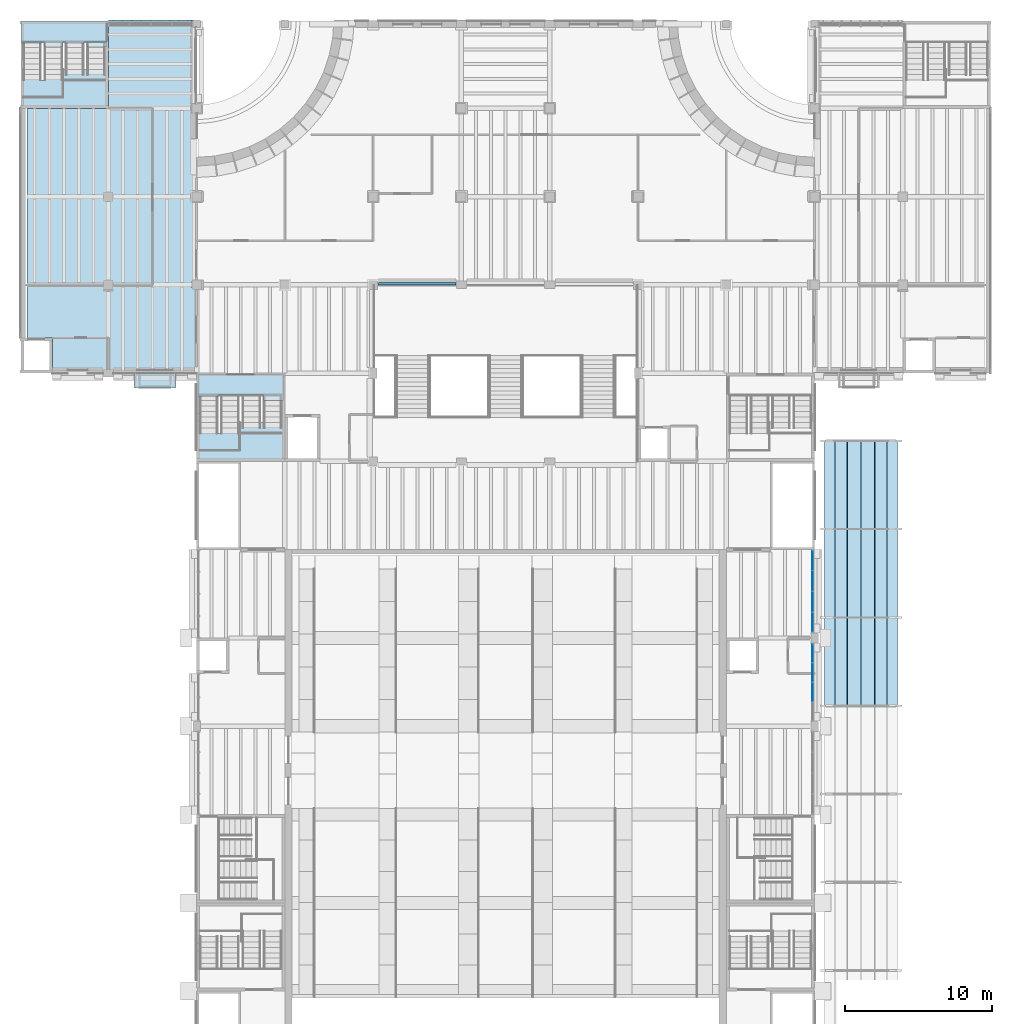
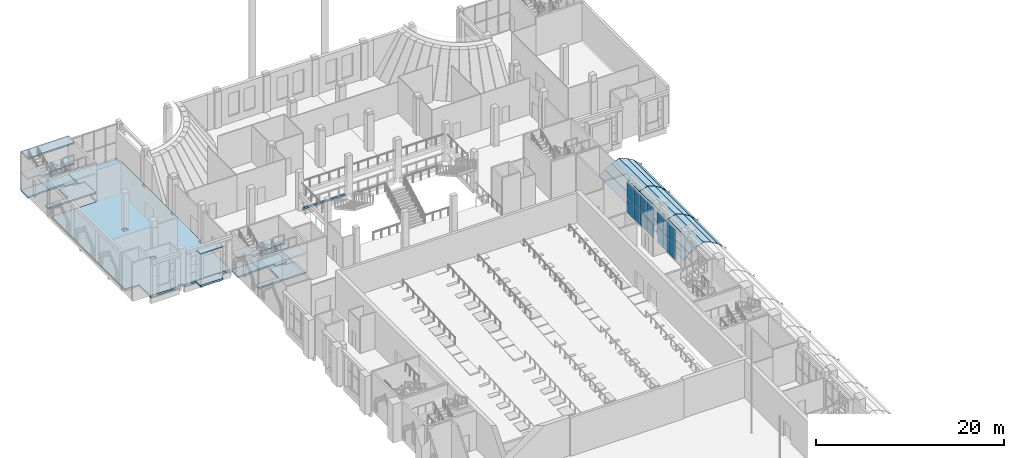
# One storey, part 33 of 80: 33 plates, 12 slabs, 4 elements without a shape of their own.
"""IFC4 building model written with IfcOpenShell, lengths in metres."""

from ifc_helpers import new_model, si_unit, direction, frame, origin, origin_2d, place, context, subcontext, project, spatial, polyline, rectangle, outline, extrude, material, layer, layer_set, type_object, element, aggregate, save


model = new_model("IFC4")

# Units and contexts
model_context = context("Model", 3, precision=1e-05, world=origin(), true_north=direction((0.0, 1.0)))
body_context = subcontext(model_context, "Body", "Model", "MODEL_VIEW")
ifc_project = project(units=[si_unit("LENGTHUNIT", "METRE"), si_unit("AREAUNIT", "SQUARE_METRE"), si_unit("VOLUMEUNIT", "CUBIC_METRE"), si_unit("PLANEANGLEUNIT", "RADIAN"), si_unit("MASSUNIT", "GRAM", prefix="KILO")], contexts=[model_context])

# Site, building, storey
site_placement = place(None, origin())
site = spatial("IfcSite", under=ifc_project, at=site_placement, CompositionType="ELEMENT")
building_placement = place(site_placement, origin())
building = spatial("IfcBuilding", under=site, at=building_placement, Name="Saffron Lane Theatres", CompositionType="ELEMENT")
storey_placement = place(building_placement, frame((0.0, 0.0, 7.0)))
storey = spatial("IfcBuildingStorey", under=building, at=storey_placement, Name="L01", CompositionType="ELEMENT", Elevation=7.0)

# Plate
ifc_material_1 = material(Name="Zinc sheet", Category="metal")
ifc_layer_1 = layer(ifc_material_1, 0.1201171875)
ifc_layer_set_1 = layer_set([ifc_layer_1], Name="Zinc sheet")
plate_type_1 = type_object("IfcPlateType", Name="EX-CUMBA ROOF PANEL 120", PredefinedType="SHEET", material=ifc_layer_set_1)
plate_1_placement = place(storey_placement, frame((0.0, 0.0, 4.0)))
element("IfcPlate", 1, at=plate_1_placement, inside=storey, type_object=plate_type_1, Name="Cumba bay 1 roof", PredefinedType="SHEET", context=body_context, shape_type="SweptSolid", body=[
    extrude(outline(polyline([(10.574951171875, 102.0), (7.77490234375, 102.0), (7.77490234375, 101.0), (10.574951171875, 101.0), (10.574951171875, 102.0)])), origin(), (0.0, 0.0, 1.0), 0.1201171875),
])

# Slab
ifc_material_2 = material(Name="Concrete N40 (40 MPa)", Category="concrete")
ifc_layer_2 = layer(ifc_material_2, 0.25)
ifc_layer_set_2 = layer_set([ifc_layer_2], Name="Concrete N40 (40 MPa)")
slab_type_1 = type_object("IfcSlabType", Name="EX-CUMBA SLAB 250", PredefinedType="FLOOR", material=ifc_layer_set_2)
slab_1_placement = place(storey_placement, frame((0.0, 0.0, -0.25)))
element("IfcSlab", 2, at=slab_1_placement, inside=storey, type_object=slab_type_1, Name="Cumba bay 1 floor", PredefinedType="FLOOR", context=body_context, shape_type="SweptSolid", body=[
    extrude(outline(polyline([(10.574951171875, 102.0), (7.77490234375, 102.0), (7.77490234375, 101.0), (10.574951171875, 101.0), (10.574951171875, 102.0)])), origin(), (0.0, 0.0, 1.0), 0.25),
])

# Curtain wall, plates
ifc_material_3 = material(Name="Aluminium", Category="aluminium")
curtain_wall_type_1 = type_object("IfcCurtainWallType", Name="EX-CURTAIN WALL 5650x4050x160", PredefinedType="NOTDEFINED", material=ifc_material_3)
curtain_wall_1_placement = place(storey_placement, origin())
curtain_wall_1 = element("IfcCurtainWall", 3, at=curtain_wall_1_placement, inside=storey, type_object=curtain_wall_type_1, Name="Curtain wall L01 10", PredefinedType="NOTDEFINED")
ifc_material_4 = material(Name="Glass", Category="glass")
ifc_layer_3 = layer(ifc_material_4, 0.028076171875)
ifc_layer_set_3 = layer_set([ifc_layer_3], Name="Glass")
plate_type_2 = type_object("IfcPlateType", Name="EX-CW PANEL GLAZING 28", PredefinedType="CURTAIN_PANEL", material=ifc_layer_set_3)
plate_2_placement = place(storey_placement, frame((53.8701171875, 89.27880859375, 0.06005859375), z_axis=(0.0, 0.0, 1.0), x_axis=(0.0, -1.0, 0.0)))
plate_2 = element("IfcPlate", 4, at=plate_2_placement, type_object=plate_type_2, Name="CW-01-10 panel 1.1", PredefinedType="CURTAIN_PANEL", context=body_context, shape_type="SweptSolid", body=[
    extrude(rectangle(XDim=1.322509765625, YDim=0.028076171875, at=origin_2d()), origin(), (0.0, 0.0, 1.0), 1.934814453125),
])
plate_3_placement = place(storey_placement, frame((53.8701171875, 89.27880859375, 2.054931640625), z_axis=(0.0, 0.0, 1.0), x_axis=(0.0, -1.0, 0.0)))
plate_3 = element("IfcPlate", 5, at=plate_3_placement, type_object=plate_type_2, Name="CW-01-10 panel 1.2", PredefinedType="CURTAIN_PANEL", context=body_context, shape_type="SweptSolid", body=[
    extrude(rectangle(XDim=1.322509765625, YDim=0.028076171875, at=origin_2d()), origin(), (0.0, 0.0, 1.0), 1.93505859375),
])
plate_4_placement = place(storey_placement, frame((53.8701171875, 87.88134765625, 0.06005859375), z_axis=(0.0, 0.0, 1.0), x_axis=(0.0, -1.0, 0.0)))
plate_4 = element("IfcPlate", 6, at=plate_4_placement, type_object=plate_type_2, Name="CW-01-10 panel 2.1", PredefinedType="CURTAIN_PANEL", context=body_context, shape_type="SweptSolid", body=[
    extrude(rectangle(XDim=1.3525390625, YDim=0.028076171875, at=origin_2d()), origin(), (0.0, 0.0, 1.0), 1.934814453125),
])
plate_5_placement = place(storey_placement, frame((53.8701171875, 87.88134765625, 2.054931640625), z_axis=(0.0, 0.0, 1.0), x_axis=(0.0, -1.0, 0.0)))
plate_5 = element("IfcPlate", 7, at=plate_5_placement, type_object=plate_type_2, Name="CW-01-10 panel 2.2", PredefinedType="CURTAIN_PANEL", context=body_context, shape_type="SweptSolid", body=[
    extrude(rectangle(XDim=1.3525390625, YDim=0.028076171875, at=origin_2d()), origin(), (0.0, 0.0, 1.0), 1.93505859375),
])
plate_6_placement = place(storey_placement, frame((53.8701171875, 86.46875, 0.06005859375), z_axis=(0.0, 0.0, 1.0), x_axis=(0.0, -1.0, 0.0)))
plate_6 = element("IfcPlate", 8, at=plate_6_placement, type_object=plate_type_2, Name="CW-01-10 panel 3.1", PredefinedType="CURTAIN_PANEL", context=body_context, shape_type="SweptSolid", body=[
    extrude(rectangle(XDim=1.3525390625, YDim=0.028076171875, at=origin_2d()), origin(), (0.0, 0.0, 1.0), 1.934814453125),
])
plate_7_placement = place(storey_placement, frame((53.8701171875, 86.46875, 2.054931640625), z_axis=(0.0, 0.0, 1.0), x_axis=(0.0, -1.0, 0.0)))
plate_7 = element("IfcPlate", 9, at=plate_7_placement, type_object=plate_type_2, Name="CW-01-10 panel 3.2", PredefinedType="CURTAIN_PANEL", context=body_context, shape_type="SweptSolid", body=[
    extrude(rectangle(XDim=1.3525390625, YDim=0.028076171875, at=origin_2d()), origin(), (0.0, 0.0, 1.0), 1.93505859375),
])
plate_8_placement = place(storey_placement, frame((53.8701171875, 85.0712890625, 0.06005859375), z_axis=(0.0, 0.0, 1.0), x_axis=(0.0, -1.0, 0.0)))
plate_8 = element("IfcPlate", 10, at=plate_8_placement, type_object=plate_type_2, Name="CW-01-10 panel 4.1", PredefinedType="CURTAIN_PANEL", context=body_context, shape_type="SweptSolid", body=[
    extrude(rectangle(XDim=1.322509765625, YDim=0.028076171875, at=origin_2d()), origin(), (0.0, 0.0, 1.0), 1.934814453125),
])
plate_9_placement = place(storey_placement, frame((53.8701171875, 85.0712890625, 2.054931640625), z_axis=(0.0, 0.0, 1.0), x_axis=(0.0, -1.0, 0.0)))
plate_9 = element("IfcPlate", 11, at=plate_9_placement, type_object=plate_type_2, Name="CW-01-10 panel 4.2", PredefinedType="CURTAIN_PANEL", context=body_context, shape_type="SweptSolid", body=[
    extrude(rectangle(XDim=1.322509765625, YDim=0.028076171875, at=origin_2d()), origin(), (0.0, 0.0, 1.0), 1.93505859375),
])
aggregate(curtain_wall_1, [plate_2, plate_3, plate_4, plate_5, plate_6, plate_7, plate_8, plate_9])

ifc_material_5 = material(Name="Aluminium", Category="aluminium")
curtain_wall_type_2 = type_object("IfcCurtainWallType", Name="EX-CURTAIN WALL 5300x4050x160", PredefinedType="NOTDEFINED", material=ifc_material_5)
curtain_wall_2_placement = place(storey_placement, origin())
curtain_wall_2 = element("IfcCurtainWall", 12, at=curtain_wall_2_placement, inside=storey, type_object=curtain_wall_type_2, Name="Curtain wall L01 11", PredefinedType="NOTDEFINED")
plate_10_placement = place(storey_placement, frame((53.8701171875, 82.972412109375, 0.06005859375), z_axis=(0.0, 0.0, 1.0), x_axis=(0.0, -1.0, 0.0)))
plate_10 = element("IfcPlate", 13, at=plate_10_placement, type_object=plate_type_2, Name="CW-01-11 panel 1.1", PredefinedType="CURTAIN_PANEL", context=body_context, shape_type="SweptSolid", body=[
    extrude(rectangle(XDim=1.23486328125, YDim=0.028076171875, at=origin_2d()), origin(), (0.0, 0.0, 1.0), 1.934814453125),
])
plate_11_placement = place(storey_placement, frame((53.8701171875, 82.972412109375, 2.054931640625), z_axis=(0.0, 0.0, 1.0), x_axis=(0.0, -1.0, 0.0)))
plate_11 = element("IfcPlate", 14, at=plate_11_placement, type_object=plate_type_2, Name="CW-01-11 panel 1.2", PredefinedType="CURTAIN_PANEL", context=body_context, shape_type="SweptSolid", body=[
    extrude(rectangle(XDim=1.23486328125, YDim=0.028076171875, at=origin_2d()), origin(), (0.0, 0.0, 1.0), 1.93505859375),
])
plate_12_placement = place(storey_placement, frame((53.8701171875, 81.66259765625, 0.06005859375), z_axis=(0.0, 0.0, 1.0), x_axis=(0.0, -1.0, 0.0)))
plate_12 = element("IfcPlate", 15, at=plate_12_placement, type_object=plate_type_2, Name="CW-01-11 panel 2.1", PredefinedType="CURTAIN_PANEL", context=body_context, shape_type="SweptSolid", body=[
    extrude(rectangle(XDim=1.264892578125, YDim=0.028076171875, at=origin_2d()), origin(), (0.0, 0.0, 1.0), 1.934814453125),
])
plate_13_placement = place(storey_placement, frame((53.8701171875, 81.66259765625, 2.054931640625), z_axis=(0.0, 0.0, 1.0), x_axis=(0.0, -1.0, 0.0)))
plate_13 = element("IfcPlate", 16, at=plate_13_placement, type_object=plate_type_2, Name="CW-01-11 panel 2.2", PredefinedType="CURTAIN_PANEL", context=body_context, shape_type="SweptSolid", body=[
    extrude(rectangle(XDim=1.264892578125, YDim=0.028076171875, at=origin_2d()), origin(), (0.0, 0.0, 1.0), 1.93505859375),
])
plate_14_placement = place(storey_placement, frame((53.8701171875, 80.33740234375, 0.06005859375), z_axis=(0.0, 0.0, 1.0), x_axis=(0.0, -1.0, 0.0)))
plate_14 = element("IfcPlate", 17, at=plate_14_placement, type_object=plate_type_2, Name="CW-01-11 panel 3.1", PredefinedType="CURTAIN_PANEL", context=body_context, shape_type="SweptSolid", body=[
    extrude(rectangle(XDim=1.264892578125, YDim=0.028076171875, at=origin_2d()), origin(), (0.0, 0.0, 1.0), 1.934814453125),
])
plate_15_placement = place(storey_placement, frame((53.8701171875, 80.33740234375, 2.054931640625), z_axis=(0.0, 0.0, 1.0), x_axis=(0.0, -1.0, 0.0)))
plate_15 = element("IfcPlate", 18, at=plate_15_placement, type_object=plate_type_2, Name="CW-01-11 panel 3.2", PredefinedType="CURTAIN_PANEL", context=body_context, shape_type="SweptSolid", body=[
    extrude(rectangle(XDim=1.264892578125, YDim=0.028076171875, at=origin_2d()), origin(), (0.0, 0.0, 1.0), 1.93505859375),
])
aggregate(curtain_wall_2, [plate_10, plate_11, plate_12, plate_13, plate_14, plate_15])

# Slabs
ifc_material_6 = material(Name="Concrete N40 (40 MPa)", Category="concrete")
ifc_layer_4 = layer(ifc_material_6, 0.25)
ifc_layer_set_4 = layer_set([ifc_layer_4], Name="Concrete N40 (40 MPa)")
slab_type_2 = type_object("IfcSlabType", Name="RC-SLAB FLOOR 250", PredefinedType="FLOOR", material=ifc_layer_set_4)
slab_2_placement = place(storey_placement, frame((0.0, 0.0, -0.25)))
element("IfcSlab", 19, at=slab_2_placement, inside=storey, type_object=slab_type_2, Name="slab-L01-BRICK-2", PredefinedType="FLOOR", context=body_context, shape_type="SweptSolid", body=[
    extrude(outline(polyline([(24.35205078125, 108.0), (29.623046875, 108.0), (29.623046875, 108.14990234375), (24.35205078125, 108.14990234375), (24.35205078125, 108.0)])), origin(), (0.0, 0.0, 1.0), 0.25),
])
slab_3_placement = place(storey_placement, frame((0.0, 0.0, -0.25)))
element("IfcSlab", 20, at=slab_3_placement, inside=storey, type_object=slab_type_2, Name="slab-L01-WING_W", PredefinedType="FLOOR", context=body_context, shape_type="SweptSolid", body=[
    extrude(outline(polyline([(6.302001953125, 102.0), (12.0, 102.0), (12.0, 107.77294921875), (11.697998046875, 107.77294921875), (11.697998046875, 108.22705078125), (12.0, 108.22705078125), (12.0, 113.77294921875), (11.697998046875, 113.77294921875), (11.697998046875, 114.22705078125), (12.0, 114.22705078125), (12.0, 115.889892578125), (12.0, 119.77294921875), (11.697998046875, 119.77294921875), (11.697998046875, 120.22705078125), (12.0, 120.22705078125), (12.0, 125.5224609375), (11.697998046875, 125.5224609375), (11.697998046875, 125.9765625), (12.0, 125.9765625), (12.0, 125.99951171875), (6.0, 125.99951171875), (6.0, 120.0), (0.4599609375, 120.0), (0.4599609375, 104.39990234375), (2.199951171875, 104.39990234375), (2.199951171875, 102.0), (5.697998046875, 102.0), (5.697998046875, 102.22705078125), (6.302001953125, 102.22705078125), (6.302001953125, 102.0)]), holes=[polyline([(5.697998046875, 107.77294921875), (5.697998046875, 108.22705078125), (6.302001953125, 108.22705078125), (6.302001953125, 107.77294921875), (5.697998046875, 107.77294921875)]), polyline([(6.302001953125, 113.77294921875), (5.697998046875, 113.77294921875), (5.697998046875, 114.22705078125), (6.302001953125, 114.22705078125), (6.302001953125, 113.77294921875)])]), origin(), (0.0, 0.0, 1.0), 0.25),
])

# Plates
ifc_material_7 = material(Name="Laminated glass", Category="glass")
ifc_layer_5 = layer(ifc_material_7, 0.030029296875)
ifc_layer_set_5 = layer_set([ifc_layer_5], Name="Laminated glass")
plate_type_3 = type_object("IfcPlateType", Name="ST-CANOPY GLASS", PredefinedType="SHEET", material=ifc_layer_set_5)
plate_16_placement = place(storey_placement, frame((54.677978515625, 79.39990234375, -0.053466796875), z_axis=(-0.685681966938, 0.0, 0.727901257188), x_axis=(0.727901257188, 0.0, 0.685681966938)))
element("IfcPlate", 21, at=plate_16_placement, inside=storey, type_object=plate_type_3, Name="CG9-1", PredefinedType="SHEET", context=body_context, shape_type="SweptSolid", body=[
    extrude(outline(polyline([(0.0, 0.0), (0.9599248000335028, 0.0), (0.9599248000335028, 6.0), (0.0, 6.0), (0.0, 0.0)])), origin(), (0.0, 0.0, -1.0), 0.030029296875),
])
plate_17_placement = place(storey_placement, frame((55.376708984375, 79.39990234375, 0.604736328125), z_axis=(-0.517265239441, 0.0, 0.855825141058), x_axis=(0.855825141058, 0.0, 0.517265239441)))
element("IfcPlate", 22, at=plate_17_placement, inside=storey, type_object=plate_type_3, Name="CG9-2", PredefinedType="SHEET", context=body_context, shape_type="SweptSolid", body=[
    extrude(outline(polyline([(0.0, 0.0), (0.9713419111499699, 0.0), (0.9713419111499699, 6.000000000000002), (0.0, 6.000000000000002), (0.0, 0.0)])), origin(), (0.0, 0.0, -1.0), 0.030029296875),
])
plate_18_placement = place(storey_placement, frame((56.2080078125, 79.39990234375, 1.107177734375), z_axis=(-0.325257867178, 0.0, 0.945625359135), x_axis=(0.945625359135, 0.0, 0.325257867178)))
element("IfcPlate", 23, at=plate_18_placement, inside=storey, type_object=plate_type_3, Name="CG9-3", PredefinedType="SHEET", context=body_context, shape_type="SweptSolid", body=[
    extrude(outline(polyline([(0.0, 0.0), (0.9960546448455231, 0.0), (0.9960546448455231, 6.0), (0.0, 6.0), (0.0, 0.0)])), origin(), (0.0, 0.0, -1.0), 0.030029296875),
])
plate_19_placement = place(storey_placement, frame((57.14990234375, 79.39990234375, 1.43115234375), z_axis=(0.325182495339, 0.0, 0.945651280719), x_axis=(0.945651280719, 0.0, -0.325182495339)))
element("IfcPlate", 24, at=plate_19_placement, inside=storey, type_object=plate_type_3, Name="CG9-4", PredefinedType="SHEET", context=body_context, shape_type="SweptSolid", body=[
    extrude(outline(polyline([(0.0, 0.0), (0.9962855135763407, 0.0), (0.9962855135763407, 6.0), (0.0, 6.0), (0.0, 0.0)])), origin(), (0.0, 0.0, -1.0), 0.030029296875),
])
plate_20_placement = place(storey_placement, frame((58.092041015625, 79.39990234375, 1.107177734375), z_axis=(0.517265239441, 0.0, 0.855825141058), x_axis=(0.855825141058, 0.0, -0.517265239441)))
element("IfcPlate", 25, at=plate_20_placement, inside=storey, type_object=plate_type_3, Name="CG9-5", PredefinedType="SHEET", context=body_context, shape_type="SweptSolid", body=[
    extrude(outline(polyline([(0.0, 0.0), (0.9713419111499699, 0.0), (0.9713419111499699, 6.000000000000002), (0.0, 6.000000000000002), (0.0, 0.0)])), origin(), (0.0, 0.0, -1.0), 0.030029296875),
])
for number, where, z_axis, x_axis, name in (
    (26, (58.92333984375, 79.39990234375, 0.604736328125), (0.685681966938, 0.0, 0.727901257188), (0.727901257188, 0.0, -0.685681966938), "CG9-6"),
    (27, (54.677978515625, 85.39990234375, -0.053466796875), (-0.685681966938, 0.0, 0.727901257188), (0.727901257188, 0.0, 0.685681966938), "CG10-1"),
):
    element("IfcPlate", number, at=place(storey_placement, frame(where, z_axis=z_axis, x_axis=x_axis)), inside=storey, type_object=plate_type_3, Name=name, PredefinedType="SHEET", context=body_context, shape_type="SweptSolid", body=[
        extrude(outline(polyline([(0.0, 0.0), (0.9599248000335028, 0.0), (0.9599248000335028, 6.0), (0.0, 6.0), (0.0, 0.0)])), origin(), (0.0, 0.0, -1.0), 0.030029296875),
    ])
plate_21_placement = place(storey_placement, frame((55.376708984375, 85.39990234375, 0.604736328125), z_axis=(-0.517265239441, 0.0, 0.855825141058), x_axis=(0.855825141058, 0.0, 0.517265239441)))
element("IfcPlate", 28, at=plate_21_placement, inside=storey, type_object=plate_type_3, Name="CG10-2", PredefinedType="SHEET", context=body_context, shape_type="SweptSolid", body=[
    extrude(outline(polyline([(0.0, 0.0), (0.9713419111499699, 0.0), (0.9713419111499699, 6.000000000000002), (0.0, 6.000000000000002), (0.0, 0.0)])), origin(), (0.0, 0.0, -1.0), 0.030029296875),
])
plate_22_placement = place(storey_placement, frame((56.2080078125, 85.39990234375, 1.107177734375), z_axis=(-0.325257867178, 0.0, 0.945625359135), x_axis=(0.945625359135, 0.0, 0.325257867178)))
element("IfcPlate", 29, at=plate_22_placement, inside=storey, type_object=plate_type_3, Name="CG10-3", PredefinedType="SHEET", context=body_context, shape_type="SweptSolid", body=[
    extrude(outline(polyline([(0.0, 0.0), (0.9960546448455231, 0.0), (0.9960546448455231, 6.0), (0.0, 6.0), (0.0, 0.0)])), origin(), (0.0, 0.0, -1.0), 0.030029296875),
])
plate_23_placement = place(storey_placement, frame((57.14990234375, 85.39990234375, 1.43115234375), z_axis=(0.325182495339, 0.0, 0.945651280719), x_axis=(0.945651280719, 0.0, -0.325182495339)))
element("IfcPlate", 30, at=plate_23_placement, inside=storey, type_object=plate_type_3, Name="CG10-4", PredefinedType="SHEET", context=body_context, shape_type="SweptSolid", body=[
    extrude(outline(polyline([(0.0, 0.0), (0.9962855135763407, 0.0), (0.9962855135763407, 6.0), (0.0, 6.0), (0.0, 0.0)])), origin(), (0.0, 0.0, -1.0), 0.030029296875),
])
plate_24_placement = place(storey_placement, frame((58.092041015625, 85.39990234375, 1.107177734375), z_axis=(0.517265239441, 0.0, 0.855825141058), x_axis=(0.855825141058, 0.0, -0.517265239441)))
element("IfcPlate", 31, at=plate_24_placement, inside=storey, type_object=plate_type_3, Name="CG10-5", PredefinedType="SHEET", context=body_context, shape_type="SweptSolid", body=[
    extrude(outline(polyline([(0.0, 0.0), (0.9713419111499699, 0.0), (0.9713419111499699, 6.000000000000002), (0.0, 6.000000000000002), (0.0, 0.0)])), origin(), (0.0, 0.0, -1.0), 0.030029296875),
])
for number, where, z_axis, x_axis, name in (
    (32, (58.92333984375, 85.39990234375, 0.604736328125), (0.685681966938, 0.0, 0.727901257188), (0.727901257188, 0.0, -0.685681966938), "CG10-6"),
    (33, (54.677978515625, 91.39990234375, -0.053466796875), (-0.685681966938, 0.0, 0.727901257188), (0.727901257188, 0.0, 0.685681966938), "CG11-1"),
):
    element("IfcPlate", number, at=place(storey_placement, frame(where, z_axis=z_axis, x_axis=x_axis)), inside=storey, type_object=plate_type_3, Name=name, PredefinedType="SHEET", context=body_context, shape_type="SweptSolid", body=[
        extrude(outline(polyline([(0.0, 0.0), (0.9599248000335028, 0.0), (0.9599248000335028, 6.0), (0.0, 6.0), (0.0, 0.0)])), origin(), (0.0, 0.0, -1.0), 0.030029296875),
    ])
plate_25_placement = place(storey_placement, frame((55.376708984375, 91.39990234375, 0.604736328125), z_axis=(-0.517265239441, 0.0, 0.855825141058), x_axis=(0.855825141058, 0.0, 0.517265239441)))
element("IfcPlate", 34, at=plate_25_placement, inside=storey, type_object=plate_type_3, Name="CG11-2", PredefinedType="SHEET", context=body_context, shape_type="SweptSolid", body=[
    extrude(outline(polyline([(0.0, 0.0), (0.9713419111499699, 0.0), (0.9713419111499699, 6.000000000000002), (0.0, 6.000000000000002), (0.0, 0.0)])), origin(), (0.0, 0.0, -1.0), 0.030029296875),
])
plate_26_placement = place(storey_placement, frame((56.2080078125, 91.39990234375, 1.107177734375), z_axis=(-0.325257867178, 0.0, 0.945625359135), x_axis=(0.945625359135, 0.0, 0.325257867178)))
element("IfcPlate", 35, at=plate_26_placement, inside=storey, type_object=plate_type_3, Name="CG11-3", PredefinedType="SHEET", context=body_context, shape_type="SweptSolid", body=[
    extrude(outline(polyline([(0.0, 0.0), (0.9960546448455231, 0.0), (0.9960546448455231, 6.0), (0.0, 6.0), (0.0, 0.0)])), origin(), (0.0, 0.0, -1.0), 0.030029296875),
])
plate_27_placement = place(storey_placement, frame((57.14990234375, 91.39990234375, 1.43115234375), z_axis=(0.325182495339, 0.0, 0.945651280719), x_axis=(0.945651280719, 0.0, -0.325182495339)))
element("IfcPlate", 36, at=plate_27_placement, inside=storey, type_object=plate_type_3, Name="CG11-4", PredefinedType="SHEET", context=body_context, shape_type="SweptSolid", body=[
    extrude(outline(polyline([(0.0, 0.0), (0.9962855135763407, 0.0), (0.9962855135763407, 6.0), (0.0, 6.0), (0.0, 0.0)])), origin(), (0.0, 0.0, -1.0), 0.030029296875),
])
plate_28_placement = place(storey_placement, frame((58.092041015625, 91.39990234375, 1.107177734375), z_axis=(0.517265239441, 0.0, 0.855825141058), x_axis=(0.855825141058, 0.0, -0.517265239441)))
element("IfcPlate", 37, at=plate_28_placement, inside=storey, type_object=plate_type_3, Name="CG11-5", PredefinedType="SHEET", context=body_context, shape_type="SweptSolid", body=[
    extrude(outline(polyline([(0.0, 0.0), (0.9713419111499699, 0.0), (0.9713419111499699, 6.000000000000002), (0.0, 6.000000000000002), (0.0, 0.0)])), origin(), (0.0, 0.0, -1.0), 0.030029296875),
])
plate_29_placement = place(storey_placement, frame((58.92333984375, 91.39990234375, 0.604736328125), z_axis=(0.685681966938, 0.0, 0.727901257188), x_axis=(0.727901257188, 0.0, -0.685681966938)))
element("IfcPlate", 38, at=plate_29_placement, inside=storey, type_object=plate_type_3, Name="CG11-6", PredefinedType="SHEET", context=body_context, shape_type="SweptSolid", body=[
    extrude(outline(polyline([(0.0, 0.0), (0.9599248000335028, 0.0), (0.9599248000335028, 6.0), (0.0, 6.0), (0.0, 0.0)])), origin(), (0.0, 0.0, -1.0), 0.030029296875),
])

# Stair, slabs
ifc_material_8 = material(Name="Concrete N40 (40 MPa)", Category="concrete")
stair_type = type_object("IfcStairType", Name="VC-STAIR EXIT", PredefinedType="TWO_STRAIGHT_RUN_STAIR", material=ifc_material_8)
stair_1_placement = place(storey_placement, origin())
stair_1 = element("IfcStair", 39, at=stair_1_placement, inside=storey, type_object=stair_type, Name="Brick Block West Stair L01 to L02", PredefinedType="TWO_STRAIGHT_RUN_STAIR")
ifc_material_9 = material(Name="Concrete N40 (40 MPa)", Category="concrete")
ifc_layer_6 = layer(ifc_material_9, 0.199951171875)
ifc_layer_set_6 = layer_set([ifc_layer_6], Name="Concrete N40 (40 MPa)")
slab_type_3 = type_object("IfcSlabType", Name="VC-LANDING 200", PredefinedType="LANDING", material=ifc_layer_set_6)
slab_4_placement = place(storey_placement, frame((0.0, 0.0, -0.199951171875)))
slab_4 = element("IfcSlab", 40, at=slab_4_placement, type_object=slab_type_3, Name="ST2 landing 1", PredefinedType="LANDING", context=body_context, shape_type="SweptSolid", body=[
    extrude(outline(polyline([(12.10009765625, 100.5), (12.10009765625, 101.89990234375), (17.89990234375, 101.89990234375), (17.89990234375, 100.14990234375), (16.550048828125, 100.14990234375), (16.550048828125, 100.5), (13.449951171875, 100.5), (13.449951171875, 100.39990234375), (12.10009765625, 100.39990234375), (12.10009765625, 100.5), (12.10009765625, 100.5)])), origin(), (0.0, 0.0, 1.0), 0.199951171875),
])
slab_5_placement = place(storey_placement, frame((0.0, 0.0, 0.966552734375)))
slab_5 = element("IfcSlab", 41, at=slab_5_placement, type_object=slab_type_3, Name="ST2 landing 2", PredefinedType="LANDING", context=body_context, shape_type="SweptSolid", body=[
    extrude(outline(polyline([(14.89990234375, 98.6298828125), (16.550048828125, 98.6298828125), (16.550048828125, 98.3798828125), (17.89990234375, 98.3798828125), (17.89990234375, 96.10009765625), (12.10009765625, 96.10009765625), (12.10009765625, 96.75), (14.89990234375, 96.75), (14.89990234375, 98.6298828125)])), origin(), (0.0, 0.0, 1.0), 0.2001953125),
])
slab_6_placement = place(storey_placement, frame((0.0, 0.0, 2.13330078125)))
slab_6 = element("IfcSlab", 42, at=slab_6_placement, type_object=slab_type_3, Name="ST2 landing 3", PredefinedType="LANDING", context=body_context, shape_type="SweptSolid", body=[
    extrude(outline(polyline([(12.10009765625, 100.5), (12.10009765625, 101.89990234375), (17.89990234375, 101.89990234375), (17.89990234375, 100.5), (16.35009765625, 100.5), (16.35009765625, 100.39990234375), (15.10009765625, 100.39990234375), (15.10009765625, 100.5), (14.89990234375, 100.5), (14.89990234375, 100.14990234375), (13.64990234375, 100.14990234375), (13.64990234375, 100.5), (12.10009765625, 100.5)])), origin(), (0.0, 0.0, 1.0), 0.199951171875),
])
slab_7_placement = place(storey_placement, frame((0.0, 0.0, 3.466552734375)))
slab_7 = element("IfcSlab", 43, at=slab_7_placement, type_object=slab_type_3, Name="ST2 landing 4", PredefinedType="LANDING", context=body_context, shape_type="SweptSolid", body=[
    extrude(outline(polyline([(13.449951171875, 97.909912109375), (13.64990234375, 97.909912109375), (13.64990234375, 98.010009765625), (14.89990234375, 98.010009765625), (14.89990234375, 97.909912109375), (17.89990234375, 97.909912109375), (17.89990234375, 96.10009765625), (12.10009765625, 96.10009765625), (12.10009765625, 98.260009765625), (13.449951171875, 98.260009765625), (13.449951171875, 97.909912109375)])), origin(), (0.0, 0.0, 1.0), 0.2001953125),
])
aggregate(stair_1, [slab_4, slab_5, slab_6, slab_7])

stair_2_placement = place(storey_placement, origin())
stair_2 = element("IfcStair", 44, at=stair_2_placement, inside=storey, type_object=stair_type, Name="West Wing Street Stair L01 to L02", PredefinedType="TWO_STRAIGHT_RUN_STAIR")
slab_8_placement = place(storey_placement, frame((0.0, 0.0, -0.199951171875)))
slab_8 = element("IfcSlab", 45, at=slab_8_placement, type_object=slab_type_3, Name="ST34 landing 1", PredefinedType="LANDING", context=body_context, shape_type="SweptSolid", body=[
    extrude(outline(polyline([(0.10009765625, 125.89990234375), (5.89990234375, 125.89990234375), (5.89990234375, 124.14990234375), (4.550048828125, 124.14990234375), (4.550048828125, 124.5), (1.449951171875, 124.5), (1.449951171875, 124.39990234375), (0.10009765625, 124.39990234375), (0.10009765625, 125.89990234375)])), origin(), (0.0, 0.0, 1.0), 0.199951171875),
])
slab_9_placement = place(storey_placement, frame((0.0, 0.0, 0.966552734375)))
slab_9 = element("IfcSlab", 46, at=slab_9_placement, type_object=slab_type_3, Name="ST34 landing 2", PredefinedType="LANDING", context=body_context, shape_type="SweptSolid", body=[
    extrude(outline(polyline([(2.89990234375, 122.6298828125), (4.550048828125, 122.6298828125), (4.550048828125, 122.3798828125), (5.89990234375, 122.3798828125), (5.89990234375, 120.10009765625), (0.10009765625, 120.10009765625), (0.10009765625, 120.75), (2.89990234375, 120.75), (2.89990234375, 122.6298828125)])), origin(), (0.0, 0.0, 1.0), 0.2001953125),
])
slab_10_placement = place(storey_placement, frame((0.0, 0.0, 2.13330078125)))
slab_10 = element("IfcSlab", 47, at=slab_10_placement, type_object=slab_type_3, Name="ST34 landing 3", PredefinedType="LANDING", context=body_context, shape_type="SweptSolid", body=[
    extrude(outline(polyline([(0.10009765625, 124.5), (0.10009765625, 125.89990234375), (5.89990234375, 125.89990234375), (5.89990234375, 124.5), (4.35009765625, 124.5), (4.35009765625, 124.39990234375), (3.10009765625, 124.39990234375), (3.10009765625, 124.5), (2.89990234375, 124.5), (2.89990234375, 124.14990234375), (1.64990234375, 124.14990234375), (1.64990234375, 124.5), (0.10009765625, 124.5)])), origin(), (0.0, 0.0, 1.0), 0.199951171875),
])
slab_11_placement = place(storey_placement, frame((0.0, 0.0, 3.466552734375)))
slab_11 = element("IfcSlab", 48, at=slab_11_placement, type_object=slab_type_3, Name="ST34 landing 4", PredefinedType="LANDING", context=body_context, shape_type="SweptSolid", body=[
    extrude(outline(polyline([(1.449951171875, 121.909912109375), (1.64990234375, 121.909912109375), (1.64990234375, 122.010009765625), (2.89990234375, 122.010009765625), (2.89990234375, 121.909912109375), (5.89990234375, 121.909912109375), (5.89990234375, 120.10009765625), (0.10009765625, 120.10009765625), (0.10009765625, 122.260009765625), (1.449951171875, 122.260009765625), (1.449951171875, 121.909912109375)])), origin(), (0.0, 0.0, 1.0), 0.2001953125),
])
slab_12_placement = place(storey_placement, frame((0.0, 0.0, 4.800048828125)))
slab_12 = element("IfcSlab", 49, at=slab_12_placement, type_object=slab_type_3, Name="ST34 landing 5", PredefinedType="LANDING", context=body_context, shape_type="SweptSolid", body=[
    extrude(outline(polyline([(0.10009765625, 125.89990234375), (5.89990234375, 125.89990234375), (5.89990234375, 124.5), (1.449951171875, 124.5), (1.449951171875, 124.39990234375), (0.10009765625, 124.39990234375), (0.10009765625, 125.89990234375)])), origin(), (0.0, 0.0, 1.0), 0.199951171875),
])
aggregate(stair_2, [slab_8, slab_9, slab_10, slab_11, slab_12])

save(model, "model.ifc")
